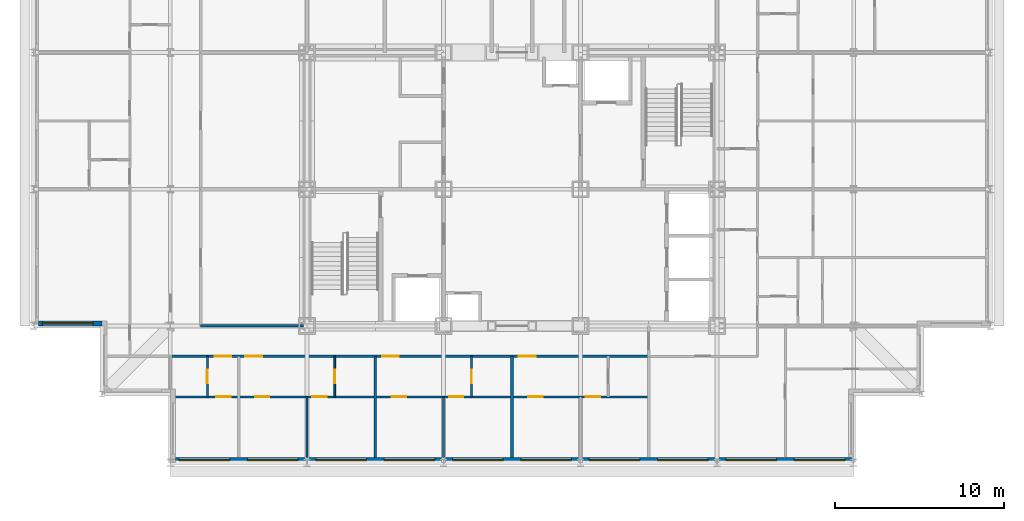
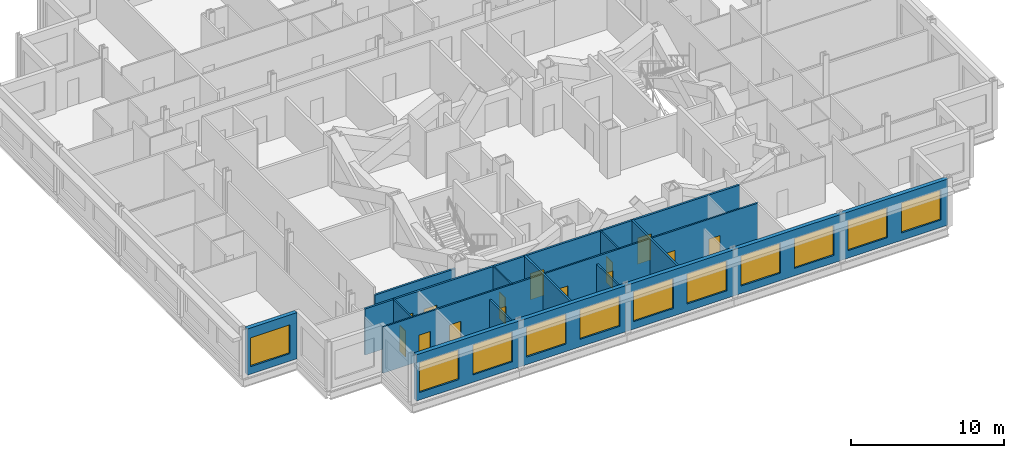
# One storey, part 7 of 16: 14 doors, 12 walls, 11 windows, 25 openings.
"""IFC4 building model written with IfcOpenShell, lengths in metres."""

from ifc_helpers import new_model, si_unit, direction, frame, frame_2d, origin, place, context, subcontext, project, spatial, rectangle, extrude, material, layer, layer_set, type_object, element, fill, save


model = new_model("IFC4")

# Units and contexts
model_context = context("Model", 3, precision=1e-05, world=origin(), true_north=direction((0.0, 1.0)))
body_context = subcontext(model_context, "Body", "Model", "MODEL_VIEW")
ifc_project = project(units=[si_unit("LENGTHUNIT", "METRE"), si_unit("AREAUNIT", "SQUARE_METRE"), si_unit("VOLUMEUNIT", "CUBIC_METRE"), si_unit("PLANEANGLEUNIT", "RADIAN"), si_unit("MASSUNIT", "GRAM", prefix="KILO")], contexts=[model_context])

# Site, building, storey
site_placement = place(None, origin())
site = spatial("IfcSite", under=ifc_project, at=site_placement, CompositionType="ELEMENT")
building_placement = place(site_placement, origin())
building = spatial("IfcBuilding", under=site, at=building_placement, Name="Kopane Lantern Tower", CompositionType="ELEMENT")
storey_placement = place(building_placement, frame((0.0, 0.0, 261.89990234375)))
storey = spatial("IfcBuildingStorey", under=building, at=storey_placement, Name="L67", CompositionType="ELEMENT", Elevation=261.89990234375)

# Walls
ifc_material_1 = material(Name="Gypsum board on steel studs", Category="steel")
ifc_layer_1 = layer(ifc_material_1, 0.1201171875)
ifc_layer_set_1 = layer_set([ifc_layer_1], Name="APARTMENT INTERNAL WALL 120")
wall_type_1 = type_object("IfcWallType", Name="APARTMENT INTERNAL WALL 120", PredefinedType="PARTITIONING", material=ifc_layer_set_1)
for number, where, z_axis, x_axis, name in (
    (1, (16.199951171875, 20.10009765625, 0.0), (0.0, 0.0, 1.0), (0.0, -1.0, 0.0), "Apartment Internal Wall 120 L67"),
    (2, (24.300048828125, 20.10009765625, 0.0), (0.0, 0.0, 1.0), (0.0, -1.0, 0.0), "Apartment Internal Wall 120 L67"),
):
    element("IfcWall", number, at=place(storey_placement, frame(where, z_axis=z_axis, x_axis=x_axis)), inside=storey, type_object=wall_type_1, Name=name, PredefinedType="PARTITIONING", context=body_context, shape_type="SweptSolid", body=[
        extrude(rectangle(XDim=3.60009765625, YDim=0.1201171875, at=frame_2d((1.800048828125, 0.0))), origin(), (0.0, 0.0, 1.0), 3.077880859375),
    ])

# Wall, openings, doors
wall_1_placement = place(storey_placement, frame((8.10009765625, 20.10009765625, 0.0), z_axis=(0.0, 0.0, 1.0), x_axis=(1.0, 0.0, 0.0)))
wall_1 = element("IfcWall", 3, at=wall_1_placement, inside=storey, type_object=wall_type_1, Name="Apartment Internal Wall 120 L67", PredefinedType="PARTITIONING", context=body_context, shape_type="SweptSolid", body=[
    extrude(rectangle(XDim=28.349853515625, YDim=0.1201171875, at=frame_2d((14.1748046875, 0.0))), origin(), (0.0, 0.0, 1.0), 3.690185546875),
])
opening_1_placement = place(wall_1_placement, frame((5.02490234375, 0.0, 0.0)))
opening_1 = element("IfcOpeningElement", 4, at=opening_1_placement, cuts=wall_1, Name="Opening L67-011", PredefinedType="OPENING", context=body_context, shape_type="SweptSolid", body=[
    extrude(rectangle(XDim=0.85009765625, YDim=2.10009765625, at=frame_2d((0.425048828125, 1.050048828125))), frame((0.0, 0.070068359375, 0.0), z_axis=(0.0, -1.0, 0.0), x_axis=(1.0, 0.0, 0.0)), (0.0, 0.0, 1.0), 0.14013671875),
])
opening_2_placement = place(wall_1_placement, frame((8.425048828125, 0.0, 0.0)))
opening_2 = element("IfcOpeningElement", 5, at=opening_2_placement, cuts=wall_1, Name="Opening L67-012", PredefinedType="OPENING", context=body_context, shape_type="SweptSolid", body=[
    extrude(rectangle(XDim=0.85009765625, YDim=2.10009765625, at=frame_2d((0.425048828125, 1.050048828125))), frame((0.0, 0.070068359375, 0.0), z_axis=(0.0, -1.0, 0.0), x_axis=(1.0, 0.0, 0.0)), (0.0, 0.0, 1.0), 0.14013671875),
])
opening_3_placement = place(wall_1_placement, frame((13.125, 0.0, 0.0)))
opening_3 = element("IfcOpeningElement", 6, at=opening_3_placement, cuts=wall_1, Name="Opening L67-015", PredefinedType="OPENING", context=body_context, shape_type="SweptSolid", body=[
    extrude(rectangle(XDim=0.85009765625, YDim=2.10009765625, at=frame_2d((0.425048828125, 1.050048828125))), frame((0.0, 0.070068359375, 0.0), z_axis=(0.0, -1.0, 0.0), x_axis=(1.0, 0.0, 0.0)), (0.0, 0.0, 1.0), 0.14013671875),
])
opening_4_placement = place(wall_1_placement, frame((16.52490234375, 0.0, 0.0)))
opening_4 = element("IfcOpeningElement", 7, at=opening_4_placement, cuts=wall_1, Name="Opening L67-016", PredefinedType="OPENING", context=body_context, shape_type="SweptSolid", body=[
    extrude(rectangle(XDim=0.85009765625, YDim=2.10009765625, at=frame_2d((0.425048828125, 1.050048828125))), frame((0.0, 0.070068359375, 0.0), z_axis=(0.0, -1.0, 0.0), x_axis=(1.0, 0.0, 0.0)), (0.0, 0.0, 1.0), 0.14013671875),
])
opening_5_placement = place(wall_1_placement, frame((21.22509765625, 0.0, 0.0)))
opening_5 = element("IfcOpeningElement", 8, at=opening_5_placement, cuts=wall_1, Name="Opening L67-019", PredefinedType="OPENING", context=body_context, shape_type="SweptSolid", body=[
    extrude(rectangle(XDim=0.85009765625, YDim=2.10009765625, at=frame_2d((0.425048828125, 1.050048828125))), frame((0.0, 0.070068359375, 0.0), z_axis=(0.0, -1.0, 0.0), x_axis=(1.0, 0.0, 0.0)), (0.0, 0.0, 1.0), 0.14013671875),
])
opening_6_placement = place(wall_1_placement, frame((24.625, 0.0, 0.0)))
opening_6 = element("IfcOpeningElement", 9, at=opening_6_placement, cuts=wall_1, Name="Opening L67-020", PredefinedType="OPENING", context=body_context, shape_type="SweptSolid", body=[
    extrude(rectangle(XDim=0.85009765625, YDim=2.10009765625, at=frame_2d((0.425048828125, 1.050048828125))), frame((0.0, 0.070068359375, 0.0), z_axis=(0.0, -1.0, 0.0), x_axis=(1.0, 0.0, 0.0)), (0.0, 0.0, 1.0), 0.14013671875),
])
opening_7_placement = place(wall_1_placement, frame((2.72509765625, 0.0, 0.0)))
opening_7 = element("IfcOpeningElement", 10, at=opening_7_placement, cuts=wall_1, Name="Opening L67-042", PredefinedType="OPENING", context=body_context, shape_type="SweptSolid", body=[
    extrude(rectangle(XDim=0.85009765625, YDim=2.10009765625, at=frame_2d((0.425048828125, 1.050048828125))), frame((0.0, 0.070068359375, 0.0), z_axis=(0.0, -1.0, 0.0), x_axis=(1.0, 0.0, 0.0)), (0.0, 0.0, 1.0), 0.14013671875),
])
ifc_material_2 = material(Name="Timber door set", Category="wood")
door_type_1 = type_object("IfcDoorType", Name="DOOR D4 850x2100", OperationType="SINGLE_SWING_LEFT", PredefinedType="DOOR", material=ifc_material_2)
door_1_placement = place(opening_1_placement, origin())
door_1 = element("IfcDoor", 11, at=door_1_placement, inside=storey, type_object=door_type_1, Name="Door L67-011", OperationType="SINGLE_SWING_LEFT", OverallHeight=2.10009765625, OverallWidth=0.85009765625, PredefinedType="DOOR", context=body_context, shape_type="SweptSolid", body=[
    extrude(rectangle(XDim=0.85009765625, YDim=2.10009765625, at=frame_2d((0.425048828125, 1.050048828125))), frame((0.0, 0.02490234375, 0.0), z_axis=(0.0, -1.0, 0.0), x_axis=(1.0, 0.0, 0.0)), (0.0, 0.0, 1.0), 0.050048828125),
])
fill(opening_1, door_1)
door_2_placement = place(opening_2_placement, origin())
door_2 = element("IfcDoor", 12, at=door_2_placement, inside=storey, type_object=door_type_1, Name="Door L67-012", OperationType="SINGLE_SWING_RIGHT", OverallHeight=2.10009765625, OverallWidth=0.85009765625, PredefinedType="DOOR", context=body_context, shape_type="SweptSolid", body=[
    extrude(rectangle(XDim=0.85009765625, YDim=2.10009765625, at=frame_2d((0.425048828125, 1.050048828125))), frame((0.0, 0.02490234375, 0.0), z_axis=(0.0, -1.0, 0.0), x_axis=(1.0, 0.0, 0.0)), (0.0, 0.0, 1.0), 0.050048828125),
])
fill(opening_2, door_2)
door_3_placement = place(opening_3_placement, origin())
door_3 = element("IfcDoor", 13, at=door_3_placement, inside=storey, type_object=door_type_1, Name="Door L67-015", OperationType="SINGLE_SWING_LEFT", OverallHeight=2.10009765625, OverallWidth=0.85009765625, PredefinedType="DOOR", context=body_context, shape_type="SweptSolid", body=[
    extrude(rectangle(XDim=0.85009765625, YDim=2.10009765625, at=frame_2d((0.425048828125, 1.050048828125))), frame((0.0, 0.02490234375, 0.0), z_axis=(0.0, -1.0, 0.0), x_axis=(1.0, 0.0, 0.0)), (0.0, 0.0, 1.0), 0.050048828125),
])
fill(opening_3, door_3)
door_4_placement = place(opening_4_placement, origin())
door_4 = element("IfcDoor", 14, at=door_4_placement, inside=storey, type_object=door_type_1, Name="Door L67-016", OperationType="SINGLE_SWING_RIGHT", OverallHeight=2.10009765625, OverallWidth=0.85009765625, PredefinedType="DOOR", context=body_context, shape_type="SweptSolid", body=[
    extrude(rectangle(XDim=0.85009765625, YDim=2.10009765625, at=frame_2d((0.425048828125, 1.050048828125))), frame((0.0, 0.02490234375, 0.0), z_axis=(0.0, -1.0, 0.0), x_axis=(1.0, 0.0, 0.0)), (0.0, 0.0, 1.0), 0.050048828125),
])
fill(opening_4, door_4)
door_5_placement = place(opening_5_placement, origin())
door_5 = element("IfcDoor", 15, at=door_5_placement, inside=storey, type_object=door_type_1, Name="Door L67-019", OperationType="SINGLE_SWING_LEFT", OverallHeight=2.10009765625, OverallWidth=0.85009765625, PredefinedType="DOOR", context=body_context, shape_type="SweptSolid", body=[
    extrude(rectangle(XDim=0.85009765625, YDim=2.10009765625, at=frame_2d((0.425048828125, 1.050048828125))), frame((0.0, 0.02490234375, 0.0), z_axis=(0.0, -1.0, 0.0), x_axis=(1.0, 0.0, 0.0)), (0.0, 0.0, 1.0), 0.050048828125),
])
fill(opening_5, door_5)
door_6_placement = place(opening_6_placement, origin())
door_6 = element("IfcDoor", 16, at=door_6_placement, inside=storey, type_object=door_type_1, Name="Door L67-020", OperationType="SINGLE_SWING_RIGHT", OverallHeight=2.10009765625, OverallWidth=0.85009765625, PredefinedType="DOOR", context=body_context, shape_type="SweptSolid", body=[
    extrude(rectangle(XDim=0.85009765625, YDim=2.10009765625, at=frame_2d((0.425048828125, 1.050048828125))), frame((0.0, 0.02490234375, 0.0), z_axis=(0.0, -1.0, 0.0), x_axis=(1.0, 0.0, 0.0)), (0.0, 0.0, 1.0), 0.050048828125),
])
fill(opening_6, door_6)
door_7_placement = place(opening_7_placement, origin())
door_7 = element("IfcDoor", 17, at=door_7_placement, inside=storey, type_object=door_type_1, Name="Door L67-042", OperationType="SINGLE_SWING_LEFT", OverallHeight=2.10009765625, OverallWidth=0.85009765625, PredefinedType="DOOR", context=body_context, shape_type="SweptSolid", body=[
    extrude(rectangle(XDim=0.85009765625, YDim=2.10009765625, at=frame_2d((0.425048828125, 1.050048828125))), frame((0.0, 0.02490234375, 0.0), z_axis=(0.0, -1.0, 0.0), x_axis=(1.0, 0.0, 0.0)), (0.0, 0.0, 1.0), 0.050048828125),
])
fill(opening_7, door_7)

# Wall, opening, door
ifc_material_3 = material(Name="Moisture-resistant board on steel studs", Category="steel")
ifc_layer_2 = layer(ifc_material_3, 0.10009765625)
ifc_layer_set_2 = layer_set([ifc_layer_2], Name="BATHROOM WALL 100")
wall_type_2 = type_object("IfcWallType", Name="BATHROOM WALL 100", PredefinedType="PARTITIONING", material=ifc_layer_set_2)
wall_2_placement = place(storey_placement, frame((17.85009765625, 22.5, 0.0), z_axis=(0.0, 0.0, 1.0), x_axis=(0.0, -1.0, 0.0)))
wall_2 = element("IfcWall", 18, at=wall_2_placement, inside=storey, type_object=wall_type_2, Name="Bathroom Wall 100 L67", PredefinedType="PARTITIONING", context=body_context, shape_type="SweptSolid", body=[
    extrude(rectangle(XDim=2.39990234375, YDim=0.10009765625, at=frame_2d((1.199951171875, 0.0))), origin(), (0.0, 0.0, 1.0), 3.690185546875),
])
opening_8_placement = place(wall_2_placement, frame((0.800048828125, 0.0, 0.0)))
opening_8 = element("IfcOpeningElement", 19, at=opening_8_placement, cuts=wall_2, Name="Opening L67-009", PredefinedType="OPENING", context=body_context, shape_type="SweptSolid", body=[
    extrude(rectangle(XDim=0.800048828125, YDim=2.10009765625, at=frame_2d((0.39990234375, 1.050048828125))), frame((0.0, 0.06005859375, 0.0), z_axis=(0.0, -1.0, 0.0), x_axis=(1.0, 0.0, 0.0)), (0.0, 0.0, 1.0), 0.1201171875),
])
ifc_material_4 = material(Name="Timber door set", Category="wood")
door_type_2 = type_object("IfcDoorType", Name="DOOR D2 800x2100", OperationType="SINGLE_SWING_LEFT", PredefinedType="DOOR", material=ifc_material_4)
door_8_placement = place(opening_8_placement, origin())
door_8 = element("IfcDoor", 20, at=door_8_placement, inside=storey, type_object=door_type_2, Name="Door L67-009", OperationType="SINGLE_SWING_LEFT", OverallHeight=2.10009765625, OverallWidth=0.800048828125, PredefinedType="DOOR", context=body_context, shape_type="SweptSolid", body=[
    extrude(rectangle(XDim=0.800048828125, YDim=2.10009765625, at=frame_2d((0.39990234375, 1.050048828125))), frame((0.0, 0.02490234375, 0.0), z_axis=(0.0, -1.0, 0.0), x_axis=(1.0, 0.0, 0.0)), (0.0, 0.0, 1.0), 0.050048828125),
])
fill(opening_8, door_8)

wall_3_placement = place(storey_placement, frame((25.949951171875, 22.5, 0.0), z_axis=(0.0, 0.0, 1.0), x_axis=(0.0, -1.0, 0.0)))
wall_3 = element("IfcWall", 21, at=wall_3_placement, inside=storey, type_object=wall_type_2, Name="Bathroom Wall 100 L67", PredefinedType="PARTITIONING", context=body_context, shape_type="SweptSolid", body=[
    extrude(rectangle(XDim=2.39990234375, YDim=0.10009765625, at=frame_2d((1.199951171875, 0.0))), origin(), (0.0, 0.0, 1.0), 3.690185546875),
])
opening_9_placement = place(wall_3_placement, frame((0.800048828125, 0.0, 0.0)))
opening_9 = element("IfcOpeningElement", 22, at=opening_9_placement, cuts=wall_3, Name="Opening L67-013", PredefinedType="OPENING", context=body_context, shape_type="SweptSolid", body=[
    extrude(rectangle(XDim=0.800048828125, YDim=2.10009765625, at=frame_2d((0.39990234375, 1.050048828125))), frame((0.0, 0.06005859375, 0.0), z_axis=(0.0, -1.0, 0.0), x_axis=(1.0, 0.0, 0.0)), (0.0, 0.0, 1.0), 0.1201171875),
])
door_9_placement = place(opening_9_placement, origin())
door_9 = element("IfcDoor", 23, at=door_9_placement, inside=storey, type_object=door_type_2, Name="Door L67-013", OperationType="SINGLE_SWING_LEFT", OverallHeight=2.10009765625, OverallWidth=0.800048828125, PredefinedType="DOOR", context=body_context, shape_type="SweptSolid", body=[
    extrude(rectangle(XDim=0.800048828125, YDim=2.10009765625, at=frame_2d((0.39990234375, 1.050048828125))), frame((0.0, 0.02490234375, 0.0), z_axis=(0.0, -1.0, 0.0), x_axis=(1.0, 0.0, 0.0)), (0.0, 0.0, 1.0), 0.050048828125),
])
fill(opening_9, door_9)

wall_4_placement = place(storey_placement, frame((10.300048828125, 22.5, 0.0), z_axis=(0.0, 0.0, 1.0), x_axis=(0.0, -1.0, 0.0)))
wall_4 = element("IfcWall", 24, at=wall_4_placement, inside=storey, type_object=wall_type_2, Name="Bathroom Wall 100 L67", PredefinedType="PARTITIONING", context=body_context, shape_type="SweptSolid", body=[
    extrude(rectangle(XDim=2.39990234375, YDim=0.10009765625, at=frame_2d((1.199951171875, 0.0))), origin(), (0.0, 0.0, 1.0), 3.690185546875),
])
opening_10_placement = place(wall_4_placement, frame((0.800048828125, 0.0, 0.0)))
opening_10 = element("IfcOpeningElement", 25, at=opening_10_placement, cuts=wall_4, Name="Opening L67-040", PredefinedType="OPENING", context=body_context, shape_type="SweptSolid", body=[
    extrude(rectangle(XDim=0.800048828125, YDim=2.10009765625, at=frame_2d((0.39990234375, 1.050048828125))), frame((0.0, 0.06005859375, 0.0), z_axis=(0.0, -1.0, 0.0), x_axis=(1.0, 0.0, 0.0)), (0.0, 0.0, 1.0), 0.1201171875),
])
door_10_placement = place(opening_10_placement, origin())
door_10 = element("IfcDoor", 26, at=door_10_placement, inside=storey, type_object=door_type_2, Name="Door L67-040", OperationType="SINGLE_SWING_RIGHT", OverallHeight=2.10009765625, OverallWidth=0.800048828125, PredefinedType="DOOR", context=body_context, shape_type="SweptSolid", body=[
    extrude(rectangle(XDim=0.800048828125, YDim=2.10009765625, at=frame_2d((0.39990234375, 1.050048828125))), frame((0.0, 0.02490234375, 0.0), z_axis=(0.0, -1.0, 0.0), x_axis=(1.0, 0.0, 0.0)), (0.0, 0.0, 1.0), 0.050048828125),
])
fill(opening_10, door_10)

# Wall, openings, doors
ifc_material_5 = material(Name="Gypsum board on steel studs", Category="steel")
ifc_layer_3 = layer(ifc_material_5, 0.14990234375)
ifc_layer_set_3 = layer_set([ifc_layer_3], Name="CORRIDOR WALL 150 EI 60")
wall_type_3 = type_object("IfcWallType", Name="CORRIDOR WALL 150 EI 60", PredefinedType="PARTITIONING", material=ifc_layer_set_3)
wall_5_placement = place(storey_placement, frame((8.10009765625, 22.5, 0.0), z_axis=(0.0, 0.0, 1.0), x_axis=(1.0, 0.0, 0.0)))
wall_5 = element("IfcWall", 27, at=wall_5_placement, inside=storey, type_object=wall_type_3, Name="Corridor Wall 150 Ei 60 L67", PredefinedType="PARTITIONING", context=body_context, shape_type="SweptSolid", body=[
    extrude(rectangle(XDim=28.349853515625, YDim=0.14990234375, at=frame_2d((14.1748046875, 0.0))), origin(), (0.0, 0.0, 1.0), 3.690185546875),
])
opening_11_placement = place(wall_5_placement, frame((4.449951171875, 0.0, 0.0)))
opening_11 = element("IfcOpeningElement", 28, at=opening_11_placement, cuts=wall_5, Name="Opening L67-010", PredefinedType="OPENING", context=body_context, shape_type="SweptSolid", body=[
    extrude(rectangle(XDim=1.0, YDim=2.10009765625, at=frame_2d((0.5, 1.050048828125))), frame((0.0, 0.0849609375, 0.0), z_axis=(0.0, -1.0, 0.0), x_axis=(1.0, 0.0, 0.0)), (0.0, 0.0, 1.0), 0.169921875),
])
opening_12_placement = place(wall_5_placement, frame((12.550048828125, 0.0, 0.0)))
opening_12 = element("IfcOpeningElement", 29, at=opening_12_placement, cuts=wall_5, Name="Opening L67-014", PredefinedType="OPENING", context=body_context, shape_type="SweptSolid", body=[
    extrude(rectangle(XDim=1.0, YDim=2.10009765625, at=frame_2d((0.5, 1.050048828125))), frame((0.0, 0.0849609375, 0.0), z_axis=(0.0, -1.0, 0.0), x_axis=(1.0, 0.0, 0.0)), (0.0, 0.0, 1.0), 0.169921875),
])
opening_13_placement = place(wall_5_placement, frame((20.64990234375, 0.0, 0.0)))
opening_13 = element("IfcOpeningElement", 30, at=opening_13_placement, cuts=wall_5, Name="Opening L67-018", PredefinedType="OPENING", context=body_context, shape_type="SweptSolid", body=[
    extrude(rectangle(XDim=1.0, YDim=2.10009765625, at=frame_2d((0.5, 1.050048828125))), frame((0.0, 0.0849609375, 0.0), z_axis=(0.0, -1.0, 0.0), x_axis=(1.0, 0.0, 0.0)), (0.0, 0.0, 1.0), 0.169921875),
])
opening_14_placement = place(wall_5_placement, frame((2.625, 0.0, 0.0)))
opening_14 = element("IfcOpeningElement", 31, at=opening_14_placement, cuts=wall_5, Name="Opening L67-041", PredefinedType="OPENING", context=body_context, shape_type="SweptSolid", body=[
    extrude(rectangle(XDim=1.0, YDim=2.10009765625, at=frame_2d((0.5, 1.050048828125))), frame((0.0, 0.0849609375, 0.0), z_axis=(0.0, -1.0, 0.0), x_axis=(1.0, 0.0, 0.0)), (0.0, 0.0, 1.0), 0.169921875),
])
ifc_material_6 = material(Name="Steel door set", Category="steel")
door_type_3 = type_object("IfcDoorType", Name="DOOR D3 1000x2100 FD30S", OperationType="SINGLE_SWING_LEFT", PredefinedType="DOOR", material=ifc_material_6)
door_11_placement = place(opening_11_placement, origin())
door_11 = element("IfcDoor", 32, at=door_11_placement, inside=storey, type_object=door_type_3, Name="Door L67-010", OperationType="SINGLE_SWING_RIGHT", OverallHeight=2.10009765625, OverallWidth=1.0, PredefinedType="DOOR", context=body_context, shape_type="SweptSolid", body=[
    extrude(rectangle(XDim=1.0, YDim=2.10009765625, at=frame_2d((0.5, 1.050048828125))), frame((0.0, 0.02490234375, 0.0), z_axis=(0.0, -1.0, 0.0), x_axis=(1.0, 0.0, 0.0)), (0.0, 0.0, 1.0), 0.050048828125),
])
fill(opening_11, door_11)
door_12_placement = place(opening_12_placement, origin())
door_12 = element("IfcDoor", 33, at=door_12_placement, inside=storey, type_object=door_type_3, Name="Door L67-014", OperationType="SINGLE_SWING_RIGHT", OverallHeight=2.10009765625, OverallWidth=1.0, PredefinedType="DOOR", context=body_context, shape_type="SweptSolid", body=[
    extrude(rectangle(XDim=1.0, YDim=2.10009765625, at=frame_2d((0.5, 1.050048828125))), frame((0.0, 0.02490234375, 0.0), z_axis=(0.0, -1.0, 0.0), x_axis=(1.0, 0.0, 0.0)), (0.0, 0.0, 1.0), 0.050048828125),
])
fill(opening_12, door_12)
door_13_placement = place(opening_13_placement, origin())
door_13 = element("IfcDoor", 34, at=door_13_placement, inside=storey, type_object=door_type_3, Name="Door L67-018", OperationType="SINGLE_SWING_RIGHT", OverallHeight=2.10009765625, OverallWidth=1.0, PredefinedType="DOOR", context=body_context, shape_type="SweptSolid", body=[
    extrude(rectangle(XDim=1.0, YDim=2.10009765625, at=frame_2d((0.5, 1.050048828125))), frame((0.0, 0.02490234375, 0.0), z_axis=(0.0, -1.0, 0.0), x_axis=(1.0, 0.0, 0.0)), (0.0, 0.0, 1.0), 0.050048828125),
])
fill(opening_13, door_13)
door_14_placement = place(opening_14_placement, origin())
door_14 = element("IfcDoor", 35, at=door_14_placement, inside=storey, type_object=door_type_3, Name="Door L67-041", OperationType="SINGLE_SWING_RIGHT", OverallHeight=2.10009765625, OverallWidth=1.0, PredefinedType="DOOR", context=body_context, shape_type="SweptSolid", body=[
    extrude(rectangle(XDim=1.0, YDim=2.10009765625, at=frame_2d((0.5, 1.050048828125))), frame((0.0, 0.02490234375, 0.0), z_axis=(0.0, -1.0, 0.0), x_axis=(1.0, 0.0, 0.0)), (0.0, 0.0, 1.0), 0.050048828125),
])
fill(opening_14, door_14)

# Walls
wall_6_placement = place(storey_placement, frame((16.0, 24.300048828125, 0.0), z_axis=(0.0, 0.0, 1.0), x_axis=(-1.0, 0.0, 0.0)))
element("IfcWall", 36, at=wall_6_placement, inside=storey, type_object=wall_type_3, Name="Corridor Wall 150 Ei 60 L67", PredefinedType="PARTITIONING", context=body_context, shape_type="SweptSolid", body=[
    extrude(rectangle(XDim=6.10009765625, YDim=0.14990234375, at=frame_2d((3.050048828125, 0.0))), origin(), (0.0, 0.0, 1.0), 3.077880859375),
])
ifc_material_7 = material(Name="Gypsum board on steel studs", Category="steel")
ifc_layer_4 = layer(ifc_material_7, 0.14990234375)
ifc_layer_set_4 = layer_set([ifc_layer_4], Name="DEMISING WALL 150 EI 60")
wall_type_4 = type_object("IfcWallType", Name="DEMISING WALL 150 EI 60", PredefinedType="PARTITIONING", material=ifc_layer_set_4)
for number, where, z_axis, x_axis, name in (
    (37, (20.25, 22.5, 0.0), (0.0, 0.0, 1.0), (0.0, -1.0, 0.0), "Demising Wall 150 Ei 60 L67"),
    (38, (28.35009765625, 22.5, 0.0), (0.0, 0.0, 1.0), (0.0, -1.0, 0.0), "Demising Wall 150 Ei 60 L67"),
):
    element("IfcWall", number, at=place(storey_placement, frame(where, z_axis=z_axis, x_axis=x_axis)), inside=storey, type_object=wall_type_4, Name=name, PredefinedType="PARTITIONING", context=body_context, shape_type="SweptSolid", body=[
        extrude(rectangle(XDim=6.0, YDim=0.14990234375, at=frame_2d((3.0, 0.0))), origin(), (0.0, 0.0, 1.0), 3.690185546875),
    ])

# Wall, openings, windows
ifc_material_8 = material(Name="Terracotta rainscreen on light steel framing", Category="masonry")
ifc_layer_5 = layer(ifc_material_8, 0.300048828125)
ifc_layer_set_5 = layer_set([ifc_layer_5], Name="EXTERNAL WALL EW1 300 TERRACOTTA")
wall_type_5 = type_object("IfcWallType", Name="EXTERNAL WALL EW1 300 TERRACOTTA", PredefinedType="SOLIDWALL", material=ifc_layer_set_5)
wall_7_placement = place(storey_placement, frame((8.39990234375, 16.35009765625, 0.0), z_axis=(0.0, 0.0, 1.0), x_axis=(1.0, 0.0, 0.0)))
wall_7 = element("IfcWall", 39, at=wall_7_placement, inside=storey, type_object=wall_type_5, Name="External wall S L67", PredefinedType="SOLIDWALL", context=body_context, shape_type="SweptSolid", body=[
    extrude(rectangle(XDim=40.2001953125, YDim=0.300048828125, at=frame_2d((20.10009765625, 0.0))), origin(), (0.0, 0.0, 1.0), 3.690185546875),
])
opening_15_placement = place(wall_7_placement, frame((0.22509765625, 0.0, 0.60009765625)))
opening_15 = element("IfcOpeningElement", 40, at=opening_15_placement, cuts=wall_7, Name="Opening WR300240", PredefinedType="OPENING", context=body_context, shape_type="SweptSolid", body=[
    extrude(rectangle(XDim=3.0, YDim=2.39990234375, at=frame_2d((1.5, 1.199951171875))), frame((0.0, 0.159912109375, 0.0), z_axis=(0.0, -1.0, 0.0), x_axis=(1.0, 0.0, 0.0)), (0.0, 0.0, 1.0), 0.320068359375),
])
opening_16_placement = place(wall_7_placement, frame((4.27490234375, 0.0, 0.60009765625)))
opening_16 = element("IfcOpeningElement", 41, at=opening_16_placement, cuts=wall_7, Name="Opening WR300240", PredefinedType="OPENING", context=body_context, shape_type="SweptSolid", body=[
    extrude(rectangle(XDim=3.0, YDim=2.39990234375, at=frame_2d((1.5, 1.199951171875))), frame((0.0, 0.159912109375, 0.0), z_axis=(0.0, -1.0, 0.0), x_axis=(1.0, 0.0, 0.0)), (0.0, 0.0, 1.0), 0.320068359375),
])
opening_17_placement = place(wall_7_placement, frame((8.324951171875, 0.0, 0.60009765625)))
opening_17 = element("IfcOpeningElement", 42, at=opening_17_placement, cuts=wall_7, Name="Opening WR300240", PredefinedType="OPENING", context=body_context, shape_type="SweptSolid", body=[
    extrude(rectangle(XDim=3.0, YDim=2.39990234375, at=frame_2d((1.5, 1.199951171875))), frame((0.0, 0.159912109375, 0.0), z_axis=(0.0, -1.0, 0.0), x_axis=(1.0, 0.0, 0.0)), (0.0, 0.0, 1.0), 0.320068359375),
])
opening_18_placement = place(wall_7_placement, frame((12.375, 0.0, 0.60009765625)))
opening_18 = element("IfcOpeningElement", 43, at=opening_18_placement, cuts=wall_7, Name="Opening WR300240", PredefinedType="OPENING", context=body_context, shape_type="SweptSolid", body=[
    extrude(rectangle(XDim=3.0, YDim=2.39990234375, at=frame_2d((1.5, 1.199951171875))), frame((0.0, 0.159912109375, 0.0), z_axis=(0.0, -1.0, 0.0), x_axis=(1.0, 0.0, 0.0)), (0.0, 0.0, 1.0), 0.320068359375),
])
opening_19_placement = place(wall_7_placement, frame((16.425048828125, 0.0, 0.60009765625)))
opening_19 = element("IfcOpeningElement", 44, at=opening_19_placement, cuts=wall_7, Name="Opening WR300240", PredefinedType="OPENING", context=body_context, shape_type="SweptSolid", body=[
    extrude(rectangle(XDim=3.0, YDim=2.39990234375, at=frame_2d((1.5, 1.199951171875))), frame((0.0, 0.159912109375, 0.0), z_axis=(0.0, -1.0, 0.0), x_axis=(1.0, 0.0, 0.0)), (0.0, 0.0, 1.0), 0.320068359375),
])
opening_20_placement = place(wall_7_placement, frame((20.47509765625, 0.0, 0.60009765625)))
opening_20 = element("IfcOpeningElement", 45, at=opening_20_placement, cuts=wall_7, Name="Opening WR300240", PredefinedType="OPENING", context=body_context, shape_type="SweptSolid", body=[
    extrude(rectangle(XDim=3.0, YDim=2.39990234375, at=frame_2d((1.5, 1.199951171875))), frame((0.0, 0.159912109375, 0.0), z_axis=(0.0, -1.0, 0.0), x_axis=(1.0, 0.0, 0.0)), (0.0, 0.0, 1.0), 0.320068359375),
])
opening_21_placement = place(wall_7_placement, frame((24.52490234375, 0.0, 0.60009765625)))
opening_21 = element("IfcOpeningElement", 46, at=opening_21_placement, cuts=wall_7, Name="Opening WR300240", PredefinedType="OPENING", context=body_context, shape_type="SweptSolid", body=[
    extrude(rectangle(XDim=3.0, YDim=2.39990234375, at=frame_2d((1.5, 1.199951171875))), frame((0.0, 0.159912109375, 0.0), z_axis=(0.0, -1.0, 0.0), x_axis=(1.0, 0.0, 0.0)), (0.0, 0.0, 1.0), 0.320068359375),
])
opening_22_placement = place(wall_7_placement, frame((28.574951171875, 0.0, 0.60009765625)))
opening_22 = element("IfcOpeningElement", 47, at=opening_22_placement, cuts=wall_7, Name="Opening WR300240", PredefinedType="OPENING", context=body_context, shape_type="SweptSolid", body=[
    extrude(rectangle(XDim=3.0, YDim=2.39990234375, at=frame_2d((1.5, 1.199951171875))), frame((0.0, 0.159912109375, 0.0), z_axis=(0.0, -1.0, 0.0), x_axis=(1.0, 0.0, 0.0)), (0.0, 0.0, 1.0), 0.320068359375),
])
opening_23_placement = place(wall_7_placement, frame((32.625, 0.0, 0.60009765625)))
opening_23 = element("IfcOpeningElement", 48, at=opening_23_placement, cuts=wall_7, Name="Opening WR300240", PredefinedType="OPENING", context=body_context, shape_type="SweptSolid", body=[
    extrude(rectangle(XDim=3.0, YDim=2.39990234375, at=frame_2d((1.5, 1.199951171875))), frame((0.0, 0.159912109375, 0.0), z_axis=(0.0, -1.0, 0.0), x_axis=(1.0, 0.0, 0.0)), (0.0, 0.0, 1.0), 0.320068359375),
])
opening_24_placement = place(wall_7_placement, frame((36.675048828125, 0.0, 0.60009765625)))
opening_24 = element("IfcOpeningElement", 49, at=opening_24_placement, cuts=wall_7, Name="Opening WR300240", PredefinedType="OPENING", context=body_context, shape_type="SweptSolid", body=[
    extrude(rectangle(XDim=3.0, YDim=2.39990234375, at=frame_2d((1.5, 1.199951171875))), frame((0.0, 0.159912109375, 0.0), z_axis=(0.0, -1.0, 0.0), x_axis=(1.0, 0.0, 0.0)), (0.0, 0.0, 1.0), 0.320068359375),
])
ifc_material_9 = material(Name="Aluminium and clear glass", Category="aluminium")
window_type_1 = type_object("IfcWindowType", Name="RIBBON WINDOW WR300240 3000x2400", PartitioningType="SINGLE_PANEL", PredefinedType="WINDOW", material=ifc_material_9)
window_1_placement = place(opening_15_placement, origin())
window_1 = element("IfcWindow", 50, at=window_1_placement, inside=storey, type_object=window_type_1, Name="Window S L67", OverallHeight=2.39990234375, OverallWidth=3.0, PartitioningType="SINGLE_PANEL", PredefinedType="WINDOW", context=body_context, shape_type="SweptSolid", body=[
    extrude(rectangle(XDim=3.0, YDim=2.39990234375, at=frame_2d((1.5, 1.199951171875))), frame((0.0, 0.030029296875, 0.0), z_axis=(0.0, -1.0, 0.0), x_axis=(1.0, 0.0, 0.0)), (0.0, 0.0, 1.0), 0.06005859375),
])
fill(opening_15, window_1)
window_2_placement = place(opening_16_placement, origin())
window_2 = element("IfcWindow", 51, at=window_2_placement, inside=storey, type_object=window_type_1, Name="Window S L67", OverallHeight=2.39990234375, OverallWidth=3.0, PartitioningType="SINGLE_PANEL", PredefinedType="WINDOW", context=body_context, shape_type="SweptSolid", body=[
    extrude(rectangle(XDim=3.0, YDim=2.39990234375, at=frame_2d((1.5, 1.199951171875))), frame((0.0, 0.030029296875, 0.0), z_axis=(0.0, -1.0, 0.0), x_axis=(1.0, 0.0, 0.0)), (0.0, 0.0, 1.0), 0.06005859375),
])
fill(opening_16, window_2)
window_3_placement = place(opening_17_placement, origin())
window_3 = element("IfcWindow", 52, at=window_3_placement, inside=storey, type_object=window_type_1, Name="Window S L67", OverallHeight=2.39990234375, OverallWidth=3.0, PartitioningType="SINGLE_PANEL", PredefinedType="WINDOW", context=body_context, shape_type="SweptSolid", body=[
    extrude(rectangle(XDim=3.0, YDim=2.39990234375, at=frame_2d((1.5, 1.199951171875))), frame((0.0, 0.030029296875, 0.0), z_axis=(0.0, -1.0, 0.0), x_axis=(1.0, 0.0, 0.0)), (0.0, 0.0, 1.0), 0.06005859375),
])
fill(opening_17, window_3)
window_4_placement = place(opening_18_placement, origin())
window_4 = element("IfcWindow", 53, at=window_4_placement, inside=storey, type_object=window_type_1, Name="Window S L67", OverallHeight=2.39990234375, OverallWidth=3.0, PartitioningType="SINGLE_PANEL", PredefinedType="WINDOW", context=body_context, shape_type="SweptSolid", body=[
    extrude(rectangle(XDim=3.0, YDim=2.39990234375, at=frame_2d((1.5, 1.199951171875))), frame((0.0, 0.030029296875, 0.0), z_axis=(0.0, -1.0, 0.0), x_axis=(1.0, 0.0, 0.0)), (0.0, 0.0, 1.0), 0.06005859375),
])
fill(opening_18, window_4)
window_5_placement = place(opening_19_placement, origin())
window_5 = element("IfcWindow", 54, at=window_5_placement, inside=storey, type_object=window_type_1, Name="Window S L67", OverallHeight=2.39990234375, OverallWidth=3.0, PartitioningType="SINGLE_PANEL", PredefinedType="WINDOW", context=body_context, shape_type="SweptSolid", body=[
    extrude(rectangle(XDim=3.0, YDim=2.39990234375, at=frame_2d((1.5, 1.199951171875))), frame((0.0, 0.030029296875, 0.0), z_axis=(0.0, -1.0, 0.0), x_axis=(1.0, 0.0, 0.0)), (0.0, 0.0, 1.0), 0.06005859375),
])
fill(opening_19, window_5)
window_6_placement = place(opening_20_placement, origin())
window_6 = element("IfcWindow", 55, at=window_6_placement, inside=storey, type_object=window_type_1, Name="Window S L67", OverallHeight=2.39990234375, OverallWidth=3.0, PartitioningType="SINGLE_PANEL", PredefinedType="WINDOW", context=body_context, shape_type="SweptSolid", body=[
    extrude(rectangle(XDim=3.0, YDim=2.39990234375, at=frame_2d((1.5, 1.199951171875))), frame((0.0, 0.030029296875, 0.0), z_axis=(0.0, -1.0, 0.0), x_axis=(1.0, 0.0, 0.0)), (0.0, 0.0, 1.0), 0.06005859375),
])
fill(opening_20, window_6)
window_7_placement = place(opening_21_placement, origin())
window_7 = element("IfcWindow", 56, at=window_7_placement, inside=storey, type_object=window_type_1, Name="Window S L67", OverallHeight=2.39990234375, OverallWidth=3.0, PartitioningType="SINGLE_PANEL", PredefinedType="WINDOW", context=body_context, shape_type="SweptSolid", body=[
    extrude(rectangle(XDim=3.0, YDim=2.39990234375, at=frame_2d((1.5, 1.199951171875))), frame((0.0, 0.030029296875, 0.0), z_axis=(0.0, -1.0, 0.0), x_axis=(1.0, 0.0, 0.0)), (0.0, 0.0, 1.0), 0.06005859375),
])
fill(opening_21, window_7)
window_8_placement = place(opening_22_placement, origin())
window_8 = element("IfcWindow", 57, at=window_8_placement, inside=storey, type_object=window_type_1, Name="Window S L67", OverallHeight=2.39990234375, OverallWidth=3.0, PartitioningType="SINGLE_PANEL", PredefinedType="WINDOW", context=body_context, shape_type="SweptSolid", body=[
    extrude(rectangle(XDim=3.0, YDim=2.39990234375, at=frame_2d((1.5, 1.199951171875))), frame((0.0, 0.030029296875, 0.0), z_axis=(0.0, -1.0, 0.0), x_axis=(1.0, 0.0, 0.0)), (0.0, 0.0, 1.0), 0.06005859375),
])
fill(opening_22, window_8)
window_9_placement = place(opening_23_placement, origin())
window_9 = element("IfcWindow", 58, at=window_9_placement, inside=storey, type_object=window_type_1, Name="Window S L67", OverallHeight=2.39990234375, OverallWidth=3.0, PartitioningType="SINGLE_PANEL", PredefinedType="WINDOW", context=body_context, shape_type="SweptSolid", body=[
    extrude(rectangle(XDim=3.0, YDim=2.39990234375, at=frame_2d((1.5, 1.199951171875))), frame((0.0, 0.030029296875, 0.0), z_axis=(0.0, -1.0, 0.0), x_axis=(1.0, 0.0, 0.0)), (0.0, 0.0, 1.0), 0.06005859375),
])
fill(opening_23, window_9)
window_10_placement = place(opening_24_placement, origin())
window_10 = element("IfcWindow", 59, at=window_10_placement, inside=storey, type_object=window_type_1, Name="Window S L67", OverallHeight=2.39990234375, OverallWidth=3.0, PartitioningType="SINGLE_PANEL", PredefinedType="WINDOW", context=body_context, shape_type="SweptSolid", body=[
    extrude(rectangle(XDim=3.0, YDim=2.39990234375, at=frame_2d((1.5, 1.199951171875))), frame((0.0, 0.030029296875, 0.0), z_axis=(0.0, -1.0, 0.0), x_axis=(1.0, 0.0, 0.0)), (0.0, 0.0, 1.0), 0.06005859375),
])
fill(opening_24, window_10)

# Wall, opening, window
wall_8_placement = place(storey_placement, frame((0.300048828125, 24.449951171875, 0.0), z_axis=(0.0, 0.0, 1.0), x_axis=(1.0, 0.0, 0.0)))
wall_8 = element("IfcWall", 60, at=wall_8_placement, inside=storey, type_object=wall_type_5, Name="External wall S L67", PredefinedType="SOLIDWALL", context=body_context, shape_type="SweptSolid", body=[
    extrude(rectangle(XDim=3.75, YDim=0.300048828125, at=frame_2d((1.875, 0.0))), origin(), (0.0, 0.0, 1.0), 3.690185546875),
])
opening_25_placement = place(wall_8_placement, frame((0.22509765625, 0.0, 0.60009765625)))
opening_25 = element("IfcOpeningElement", 61, at=opening_25_placement, cuts=wall_8, Name="Opening WR300230", PredefinedType="OPENING", context=body_context, shape_type="SweptSolid", body=[
    extrude(rectangle(XDim=3.0, YDim=2.300048828125, at=frame_2d((1.5, 1.14990234375))), frame((0.0, 0.159912109375, 0.0), z_axis=(0.0, -1.0, 0.0), x_axis=(1.0, 0.0, 0.0)), (0.0, 0.0, 1.0), 0.320068359375),
])
ifc_material_10 = material(Name="Aluminium and clear glass", Category="aluminium")
window_type_2 = type_object("IfcWindowType", Name="RIBBON WINDOW WR300230 3000x2300", PartitioningType="SINGLE_PANEL", PredefinedType="WINDOW", material=ifc_material_10)
window_11_placement = place(opening_25_placement, origin())
window_11 = element("IfcWindow", 62, at=window_11_placement, inside=storey, type_object=window_type_2, Name="Window S L67", OverallHeight=2.300048828125, OverallWidth=3.0, PartitioningType="SINGLE_PANEL", PredefinedType="WINDOW", context=body_context, shape_type="SweptSolid", body=[
    extrude(rectangle(XDim=3.0, YDim=2.300048828125, at=frame_2d((1.5, 1.14990234375))), frame((0.0, 0.030029296875, 0.0), z_axis=(0.0, -1.0, 0.0), x_axis=(1.0, 0.0, 0.0)), (0.0, 0.0, 1.0), 0.06005859375),
])
fill(opening_25, window_11)

save(model, "model.ifc")
